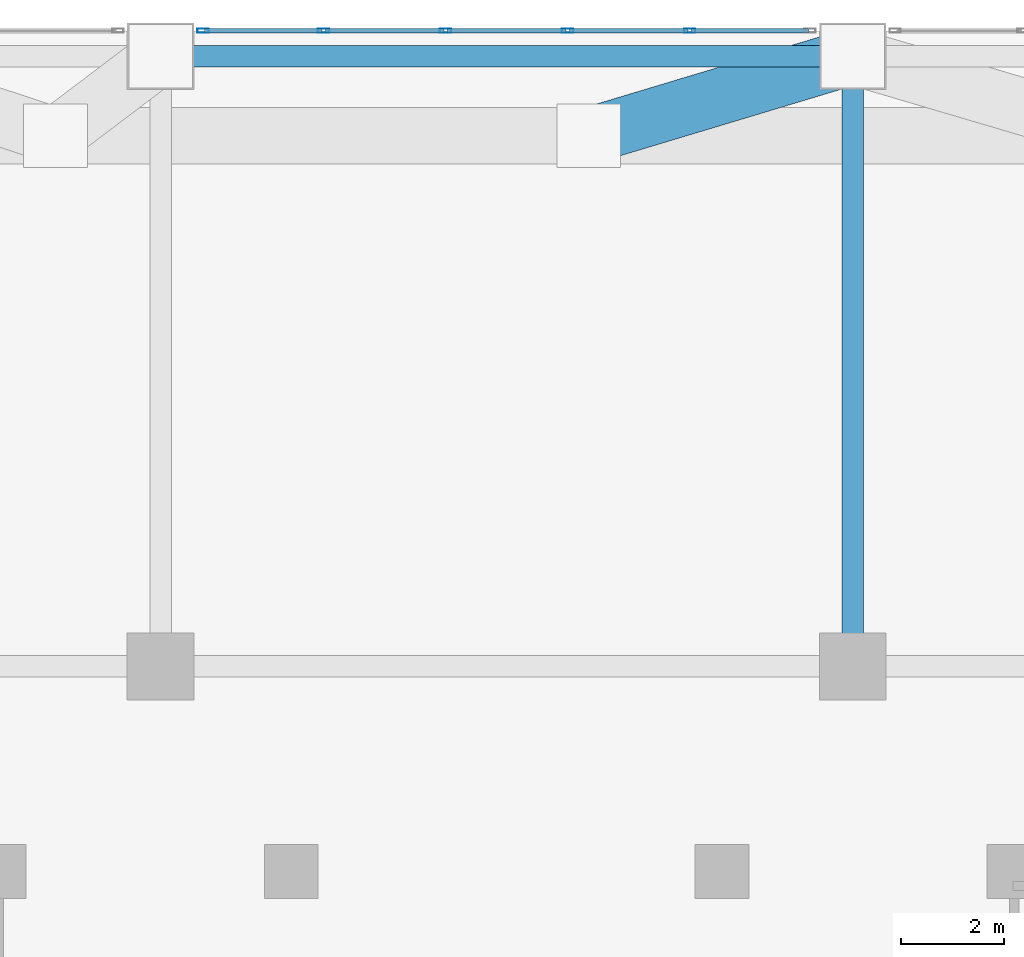
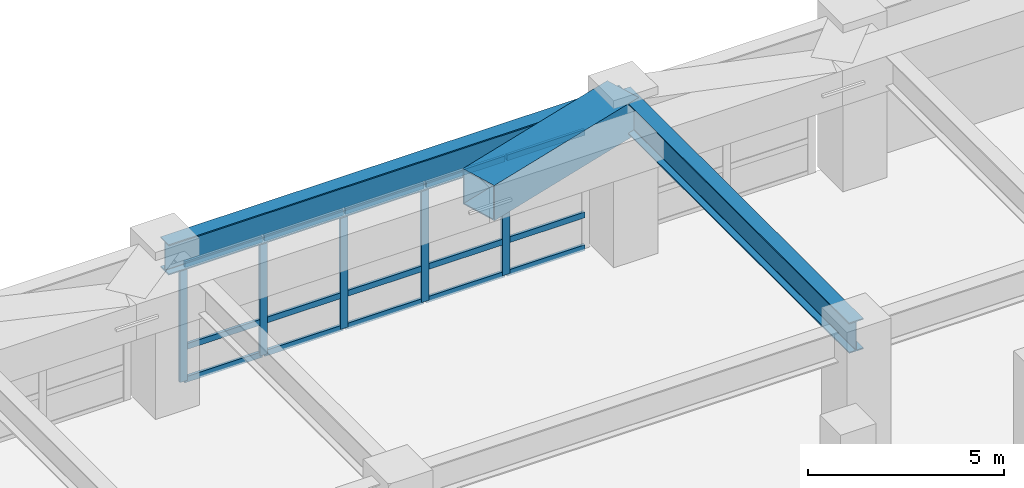
# One storey, part 10 of 20: 20 members, 3 beams, 1 element without a shape of its own.
"""IFC4 building model written with IfcOpenShell, lengths in metres."""

import ifcopenshell
import ifcopenshell.guid

model = None  # the IFC model being written
_history = None  # IfcOwnerHistory: only IFC2X3 demands one
_inside = {}  # id of a spatial element -> (the spatial element, [elements in it])
_under = {}  # id of a project, library or spatial element -> (it, [spatial elements below it])
_declared = {}  # id of a project -> (the project, [libraries it declares])
_typed = {}  # id of a type object -> (the type object, [elements of that type])
_made_of = {}  # id of a material, layer set ... -> (it, [elements and type objects made of it])


def new_model(schema):
    """Start an empty IFC model of exactly this schema.

    Asked for "IFC4X3", IfcOpenShell would pick the latest addendum, in which some entities
    have other attributes; the version numbers below select the first issue.
    IFC2X3 requires an IfcOwnerHistory on every rooted entity: one is made here for all.
    """
    global model, _history
    if schema == "IFC4X3":
        model = ifcopenshell.file(schema_version=(4, 3, 0, 0))
    else:
        model = ifcopenshell.file(schema=schema)
    _inside.clear()
    _under.clear()
    _declared.clear()
    _typed.clear()
    _made_of.clear()
    _history = None
    if model.schema == "IFC2X3":
        org = make("IfcOrganization", Name="unknown")
        user = make(
            "IfcPersonAndOrganization",
            ThePerson=make("IfcPerson", FamilyName="unknown"),
            TheOrganization=org,
        )
        app = make(
            "IfcApplication",
            ApplicationDeveloper=org,
            Version="unknown",
            ApplicationFullName="unknown",
            ApplicationIdentifier="unknown",
        )
        _history = make(
            "IfcOwnerHistory",
            OwningUser=user,
            OwningApplication=app,
            ChangeAction="ADDED",
            CreationDate=0,
        )
    return model


def make(cls, **values):
    """One entity of the class cls with the attributes given. An attribute that is None is left unset."""
    return model.create_entity(
        cls, **{name: value for name, value in values.items() if value is not None}
    )


def rooted(cls, **values):
    """An entity with a GlobalId (a new one), such as an element, a storey or a relation."""
    return make(cls, GlobalId=ifcopenshell.guid.new(), OwnerHistory=_history, **values)


def si_unit(unit_type, name, prefix=None):
    """IfcSIUnit, for example si_unit("LENGTHUNIT", "METRE", prefix="MILLI")."""
    return make("IfcSIUnit", UnitType=unit_type, Prefix=prefix, Name=name)


def assignment(units):
    """IfcUnitAssignment: the units of a project."""
    return None if units is None else make("IfcUnitAssignment", Units=units)


def point(xyz):
    """IfcCartesianPoint."""
    return None if xyz is None else make("IfcCartesianPoint", Coordinates=xyz)


def direction(xyz):
    """IfcDirection."""
    return None if xyz is None else make("IfcDirection", DirectionRatios=xyz)


def frame(location, z_axis=None, x_axis=None):
    """IfcAxis2Placement3D, a coordinate frame: its origin and axes. An axis left out is left unset."""
    return make(
        "IfcAxis2Placement3D",
        Location=point(location),
        Axis=direction(z_axis),
        RefDirection=direction(x_axis),
    )


def frame_2d(location, x_axis=None):
    """IfcAxis2Placement2D, a coordinate frame in the plane: its origin and x axis."""
    return make(
        "IfcAxis2Placement2D", Location=point(location), RefDirection=direction(x_axis)
    )


def origin():
    """The frame at (0, 0, 0) with its axes left unset."""
    return frame((0.0, 0.0, 0.0))


def origin_2d():
    """The frame at (0, 0) in the plane with its x axis left unset."""
    return frame_2d((0.0, 0.0))


def place(relative_to, where):
    """IfcLocalPlacement: puts the frame where relative to a parent placement (None: the world)."""
    return make(
        "IfcLocalPlacement", PlacementRelTo=relative_to, RelativePlacement=where
    )


def context(
    kind, dimensions, precision=None, world=None, true_north=None, identifier=None
):
    """IfcGeometricRepresentationContext, for example the 3D "Model" context."""
    return make(
        "IfcGeometricRepresentationContext",
        ContextIdentifier=identifier,
        ContextType=kind,
        CoordinateSpaceDimension=dimensions,
        Precision=precision,
        WorldCoordinateSystem=world,
        TrueNorth=true_north,
    )


def subcontext(parent, identifier, kind, view, scale=None):
    """IfcGeometricRepresentationSubContext, for example "Body" below "Model"."""
    return make(
        "IfcGeometricRepresentationSubContext",
        ContextIdentifier=identifier,
        ContextType=kind,
        ParentContext=parent,
        TargetScale=scale,
        TargetView=view,
    )


def project(units=None, contexts=None):
    """IfcProject with its units and contexts."""
    return rooted(
        "IfcProject",
        Name="project",
        RepresentationContexts=contexts,
        UnitsInContext=assignment(units),
    )


def spatial(cls, under=None, at=None, **own):
    """A site, building, storey or space (cls), placed at a placement, below another one or the project."""
    s = rooted(cls, ObjectPlacement=at, **own)
    if under is not None:
        _under.setdefault(under.id(), (under, []))[1].append(s)
    return s


def profile(cls, at=None, kind="AREA", **sizes):
    """A parametric profile (cls). Its sizes go by their IFC names, for example OverallWidth=200.0."""
    return make(cls, ProfileType=kind, Position=at, **sizes)


def hollow_rectangle(**sizes):
    """IfcRectangleHollowProfileDef."""
    return profile("IfcRectangleHollowProfileDef", **sizes)


def i_section(**sizes):
    """IfcIShapeProfileDef."""
    return profile("IfcIShapeProfileDef", **sizes)


def extrude(swept, where, along, depth):
    """IfcExtrudedAreaSolid: the profile swept, set in the frame where, extruded along a direction by depth."""
    return make(
        "IfcExtrudedAreaSolid",
        SweptArea=swept,
        Position=where,
        ExtrudedDirection=direction(along),
        Depth=depth,
    )


def shape(context_of_items, identifier, shape_type, items):
    """IfcShapeRepresentation: the items that make up one representation, for example the "Body"."""
    return make(
        "IfcShapeRepresentation",
        ContextOfItems=context_of_items,
        RepresentationIdentifier=identifier,
        RepresentationType=shape_type,
        Items=items,
    )


def material(Name=None, Category=None):
    """IfcMaterial."""
    return make("IfcMaterial", Name=Name, Category=Category)


def layer(
    of_material, thickness, ventilated=None, Name=None, Category=None, Priority=None
):
    """IfcMaterialLayer: one layer of a wall or slab, of a material (None: an air gap)."""
    return make(
        "IfcMaterialLayer",
        Material=of_material,
        LayerThickness=thickness,
        IsVentilated=ventilated,
        Name=Name,
        Category=Category,
        Priority=Priority,
    )


def layer_set(layers, Name=None):
    """IfcMaterialLayerSet."""
    return make("IfcMaterialLayerSet", MaterialLayers=layers, LayerSetName=Name)


def material_profile(
    of_material, cross_section, Name=None, Category=None, Priority=None
):
    """IfcMaterialProfile: a cross section and its material."""
    return make(
        "IfcMaterialProfile",
        Name=Name,
        Material=of_material,
        Profile=cross_section,
        Priority=Priority,
        Category=Category,
    )


def profile_set(profiles, Name=None, composite=None):
    """IfcMaterialProfileSet."""
    return make(
        "IfcMaterialProfileSet",
        Name=Name,
        MaterialProfiles=profiles,
        CompositeProfile=composite,
    )


def made_of(thing, what):
    """Note that an element or type object is made of a material, layer set ...; save() writes the relation."""
    if what is not None:
        _made_of.setdefault(what.id(), (what, []))[1].append(thing)
    return thing


def type_object(cls, material=None, **own):
    """A type object (cls), such as IfcWallType, which elements share."""
    return made_of(rooted(cls, **own), material)


def element(
    cls,
    number,
    at=None,
    inside=None,
    cuts=None,
    type_object=None,
    material=None,
    context=None,
    identifier="Body",
    shape_type=None,
    held_by="IfcProductDefinitionShape",
    body=None,
    shapes=None,
    **own,
):
    """One element of the class cls, such as IfcWall. Its Tag is "e" and its number.

    at: its placement. inside: the storey or other place that contains it. cuts: it is an
    opening in that element (IfcRelVoidsElement). A single representation is given by context,
    identifier, shape_type and body (its items); several are given by shapes. held_by: the class
    of the entity that holds the representations. save() writes the other relations.
    """
    e = rooted(cls, Tag="e%d" % number, ObjectPlacement=at, **own)
    if body is not None:
        shapes = [shape(context, identifier, shape_type, body)]
    if shapes is not None:
        e.Representation = make(held_by, Representations=shapes)
    if inside is not None:
        _inside.setdefault(inside.id(), (inside, []))[1].append(e)
    if cuts is not None:
        rooted(
            "IfcRelVoidsElement", RelatingBuildingElement=cuts, RelatedOpeningElement=e
        )
    if type_object is not None:
        _typed.setdefault(type_object.id(), (type_object, []))[1].append(e)
    return made_of(e, material)


def aggregate(whole, parts):
    """IfcRelAggregates: a whole, such as a stair, and the parts it consists of."""
    return rooted("IfcRelAggregates", RelatingObject=whole, RelatedObjects=parts)


def save(model, path):
    """Write the relations noted so far, then the file.

    IfcRelAggregates (storeys below a building ...), IfcRelContainedInSpatialStructure (elements
    in a storey), IfcRelDefinesByType, IfcRelAssociatesMaterial and IfcRelDeclares: one each for
    every whole, place, type object, material and project.
    """
    for whole, parts in _under.values():
        aggregate(whole, parts)
    for where, things in _inside.values():
        rooted(
            "IfcRelContainedInSpatialStructure",
            RelatedElements=things,
            RelatingStructure=where,
        )
    for kind, things in _typed.values():
        rooted("IfcRelDefinesByType", RelatedObjects=things, RelatingType=kind)
    for what, things in _made_of.values():
        rooted("IfcRelAssociatesMaterial", RelatedObjects=things, RelatingMaterial=what)
    for by, libraries in _declared.values():
        rooted("IfcRelDeclares", RelatingContext=by, RelatedDefinitions=libraries)
    model.write(path)


model = new_model("IFC4")

# Units and contexts
model_context = context("Model", 3, precision=1e-05, world=origin(), true_north=direction((0.0, 1.0)))
body_context = subcontext(model_context, "Body", "Model", "MODEL_VIEW")
ifc_project = project(units=[si_unit("LENGTHUNIT", "METRE"), si_unit("AREAUNIT", "SQUARE_METRE"), si_unit("VOLUMEUNIT", "CUBIC_METRE"), si_unit("PLANEANGLEUNIT", "RADIAN"), si_unit("MASSUNIT", "GRAM", prefix="KILO")], contexts=[model_context])

# Site, building, storey
site_placement = place(None, origin())
site = spatial("IfcSite", under=ifc_project, at=site_placement, CompositionType="ELEMENT")
building_placement = place(site_placement, origin())
building = spatial("IfcBuilding", under=site, at=building_placement, Name="Voryun Gate Residences", CompositionType="ELEMENT")
storey_placement = place(building_placement, frame((0.0, 0.0, 20.800048828125)))
storey = spatial("IfcBuildingStorey", under=building, at=storey_placement, Name="L04", CompositionType="ELEMENT", Elevation=20.800048828125)

# Beams
ifc_material_1 = material(Name="Steel SM420", Category="steel")
ifc_material_profile_1 = material_profile(ifc_material_1, hollow_rectangle(XDim=1.10009765625, YDim=1.10009765625, WallThickness=0.035888671875, at=origin_2d()), Name="BOX-1100x1100x36")
ifc_profile_set_1 = profile_set([ifc_material_profile_1], Name="Steel SM420")
beam_type_1 = type_object("IfcBeamType", Name="BM_ARCH_RIB", PredefinedType="USERDEFINED", material=ifc_profile_set_1)
beam_1_placement = place(storey_placement, frame((6.75, 23.300048828125, 4.39990234375), z_axis=(-0.957566016482, -0.288214024777, 0.0), x_axis=(0.288214024777, -0.957566016482, 0.0)))
element("IfcBeam", 1, at=beam_1_placement, inside=storey, type_object=beam_type_1, Name="BM-L04-B1RAD1-N3", ObjectType="GIRDER", PredefinedType="USERDEFINED", context=body_context, shape_type="SweptSolid", body=[
    extrude(hollow_rectangle(XDim=1.10009765625, YDim=1.10009765625, WallThickness=0.035888671875, at=origin_2d()), origin(), (0.0, 0.0, 1.0), 5.378173828125),
])
ifc_material_2 = material(Name="Steel SM420", Category="steel")
ifc_material_profile_2 = material_profile(ifc_material_2, i_section(OverallWidth=0.419921875, OverallDepth=0.949951171875, WebThickness=0.02001953125, FlangeThickness=0.035888671875, FilletRadius=0.01806640625, at=origin_2d()), Name="H-950x420x20x36")
ifc_profile_set_2 = profile_set([ifc_material_profile_2], Name="Steel SM420")
beam_type_2 = type_object("IfcBeamType", Name="BM_XFER_950", PredefinedType="USERDEFINED", material=ifc_profile_set_2)
beam_2_placement = place(storey_placement, frame((-6.75, 23.300048828125, 4.474853515625), z_axis=(1.0, 0.0, 0.0), x_axis=(0.0, 1.0, 0.0)))
element("IfcBeam", 2, at=beam_2_placement, inside=storey, type_object=beam_type_2, Name="BM-L04-GX-+23.3-3", ObjectType="GIRDER", PredefinedType="USERDEFINED", context=body_context, shape_type="SweptSolid", body=[
    extrude(i_section(OverallWidth=0.419921875, OverallDepth=0.949951171875, WebThickness=0.02001953125, FlangeThickness=0.035888671875, FilletRadius=0.01806640625, at=origin_2d()), origin(), (0.0, 0.0, 1.0), 13.5),
])
beam_3_placement = place(storey_placement, frame((6.75, 11.39990234375, 4.474853515625), z_axis=(0.0, 1.0, 0.0), x_axis=(-1.0, 0.0, 0.0)))
element("IfcBeam", 3, at=beam_3_placement, inside=storey, type_object=beam_type_2, Name="BM-L04-GYM-+6.75-+11.4", ObjectType="GIRDER", PredefinedType="USERDEFINED", context=body_context, shape_type="SweptSolid", body=[
    extrude(i_section(OverallWidth=0.419921875, OverallDepth=0.949951171875, WebThickness=0.02001953125, FlangeThickness=0.035888671875, FilletRadius=0.01806640625, at=origin_2d()), origin(), (0.0, 0.0, 1.0), 11.900146484375),
])

# Curtain wall, members
ifc_material_3 = material(Name="Anodised aluminium", Category="aluminium")
ifc_layer = layer(ifc_material_3, 0.219970703125, Name="CW_SYS_POD_DARK_GLASS")
ifc_layer_set = layer_set([ifc_layer], Name="Anodised aluminium")
curtain_wall_type = type_object("IfcCurtainWallType", Name="CW_SYS_POD_DARK_GLASS", PredefinedType="NOTDEFINED", material=ifc_layer_set)
curtain_wall_placement = place(storey_placement, origin())
curtain_wall = element("IfcCurtainWall", 4, at=curtain_wall_placement, inside=storey, type_object=curtain_wall_type, Name="Curtain wall CW1-L04-BRG-3-C", PredefinedType="NOTDEFINED")
ifc_material_4 = material(Name="Anodised aluminium", Category="aluminium")
ifc_material_profile_3 = material_profile(ifc_material_4, hollow_rectangle(XDim=0.080078125, YDim=0.219970703125, WallThickness=0.0048828125, at=origin_2d()), Name="ALU-MULL-220x80x5")
ifc_profile_set_3 = profile_set([ifc_material_profile_3], Name="Anodised aluminium")
member_type_1 = type_object("IfcMemberType", Name="CW_MULL_POD", PredefinedType="MULLION", material=ifc_profile_set_3)
member_1_placement = place(storey_placement, frame((-5.919921875, 23.800048828125, 0.0), z_axis=(0.0, 0.0, 1.0), x_axis=(0.0, 1.0, 0.0)))
member_1 = element("IfcMember", 5, at=member_1_placement, type_object=member_type_1, Name="CW1 mullion 1", PredefinedType="MULLION", context=body_context, shape_type="SweptSolid", body=[
    extrude(hollow_rectangle(XDim=0.080078125, YDim=0.219970703125, WallThickness=0.0048828125, at=origin_2d()), origin(), (0.0, 0.0, 1.0), 3.64990234375),
])
member_2_placement = place(storey_placement, frame((-3.570068359375, 23.800048828125, 0.0), z_axis=(0.0, 0.0, 1.0), x_axis=(0.0, 1.0, 0.0)))
member_2 = element("IfcMember", 6, at=member_2_placement, type_object=member_type_1, Name="CW1 mullion 2", PredefinedType="MULLION", context=body_context, shape_type="SweptSolid", body=[
    extrude(hollow_rectangle(XDim=0.080078125, YDim=0.219970703125, WallThickness=0.0048828125, at=origin_2d()), origin(), (0.0, 0.0, 1.0), 3.64990234375),
])
member_3_placement = place(storey_placement, frame((-1.18994140625, 23.800048828125, 0.0), z_axis=(0.0, 0.0, 1.0), x_axis=(0.0, 1.0, 0.0)))
member_3 = element("IfcMember", 7, at=member_3_placement, type_object=member_type_1, Name="CW1 mullion 3", PredefinedType="MULLION", context=body_context, shape_type="SweptSolid", body=[
    extrude(hollow_rectangle(XDim=0.080078125, YDim=0.219970703125, WallThickness=0.0048828125, at=origin_2d()), origin(), (0.0, 0.0, 1.0), 3.64990234375),
])
member_4_placement = place(storey_placement, frame((1.18994140625, 23.800048828125, 0.0), z_axis=(0.0, 0.0, 1.0), x_axis=(0.0, 1.0, 0.0)))
member_4 = element("IfcMember", 8, at=member_4_placement, type_object=member_type_1, Name="CW1 mullion 4", PredefinedType="MULLION", context=body_context, shape_type="SweptSolid", body=[
    extrude(hollow_rectangle(XDim=0.080078125, YDim=0.219970703125, WallThickness=0.0048828125, at=origin_2d()), origin(), (0.0, 0.0, 1.0), 3.64990234375),
])
member_5_placement = place(storey_placement, frame((3.570068359375, 23.800048828125, 0.0), z_axis=(0.0, 0.0, 1.0), x_axis=(0.0, 1.0, 0.0)))
member_5 = element("IfcMember", 9, at=member_5_placement, type_object=member_type_1, Name="CW1 mullion 5", PredefinedType="MULLION", context=body_context, shape_type="SweptSolid", body=[
    extrude(hollow_rectangle(XDim=0.080078125, YDim=0.219970703125, WallThickness=0.0048828125, at=origin_2d()), origin(), (0.0, 0.0, 1.0), 3.64990234375),
])
ifc_material_5 = material(Name="Anodised aluminium", Category="aluminium")
ifc_material_profile_4 = material_profile(ifc_material_5, hollow_rectangle(XDim=0.080078125, YDim=0.179931640625, WallThickness=0.0048828125, at=origin_2d()), Name="ALU-TRAN-180x80x5")
ifc_profile_set_4 = profile_set([ifc_material_profile_4], Name="Anodised aluminium")
member_type_2 = type_object("IfcMemberType", Name="CW_TRAN_POD", PredefinedType="USERDEFINED", material=ifc_profile_set_4)
member_6_placement = place(storey_placement, frame((-5.889892578125, 23.800048828125, 0.030029296875), z_axis=(1.0, 0.0, 0.0), x_axis=(0.0, 1.0, 0.0)))
member_6 = element("IfcMember", 10, at=member_6_placement, type_object=member_type_2, Name="CW1 transom 1.1", ObjectType="TRANSOM", PredefinedType="USERDEFINED", context=body_context, shape_type="SweptSolid", body=[
    extrude(hollow_rectangle(XDim=0.080078125, YDim=0.179931640625, WallThickness=0.0048828125, at=origin_2d()), origin(), (0.0, 0.0, 1.0), 2.289794921875),
])
member_7_placement = place(storey_placement, frame((-5.889892578125, 23.800048828125, 1.050048828125), z_axis=(1.0, 0.0, 0.0), x_axis=(0.0, 1.0, 0.0)))
member_7 = element("IfcMember", 11, at=member_7_placement, type_object=member_type_2, Name="CW1 transom 1.2", ObjectType="TRANSOM", PredefinedType="USERDEFINED", context=body_context, shape_type="SweptSolid", body=[
    extrude(hollow_rectangle(XDim=0.080078125, YDim=0.179931640625, WallThickness=0.0048828125, at=origin_2d()), origin(), (0.0, 0.0, 1.0), 2.289794921875),
])
member_8_placement = place(storey_placement, frame((-5.889892578125, 23.800048828125, 3.619873046875), z_axis=(1.0, 0.0, 0.0), x_axis=(0.0, 1.0, 0.0)))
member_8 = element("IfcMember", 12, at=member_8_placement, type_object=member_type_2, Name="CW1 transom 1.3", ObjectType="TRANSOM", PredefinedType="USERDEFINED", context=body_context, shape_type="SweptSolid", body=[
    extrude(hollow_rectangle(XDim=0.080078125, YDim=0.179931640625, WallThickness=0.0048828125, at=origin_2d()), origin(), (0.0, 0.0, 1.0), 2.289794921875),
])
member_9_placement = place(storey_placement, frame((-3.5400390625, 23.800048828125, 0.030029296875), z_axis=(1.0, 0.0, 0.0), x_axis=(0.0, 1.0, 0.0)))
member_9 = element("IfcMember", 13, at=member_9_placement, type_object=member_type_2, Name="CW1 transom 2.1", ObjectType="TRANSOM", PredefinedType="USERDEFINED", context=body_context, shape_type="SweptSolid", body=[
    extrude(hollow_rectangle(XDim=0.080078125, YDim=0.179931640625, WallThickness=0.0048828125, at=origin_2d()), origin(), (0.0, 0.0, 1.0), 2.320068359375),
])
member_10_placement = place(storey_placement, frame((-3.5400390625, 23.800048828125, 1.050048828125), z_axis=(1.0, 0.0, 0.0), x_axis=(0.0, 1.0, 0.0)))
member_10 = element("IfcMember", 14, at=member_10_placement, type_object=member_type_2, Name="CW1 transom 2.2", ObjectType="TRANSOM", PredefinedType="USERDEFINED", context=body_context, shape_type="SweptSolid", body=[
    extrude(hollow_rectangle(XDim=0.080078125, YDim=0.179931640625, WallThickness=0.0048828125, at=origin_2d()), origin(), (0.0, 0.0, 1.0), 2.320068359375),
])
member_11_placement = place(storey_placement, frame((-3.5400390625, 23.800048828125, 3.619873046875), z_axis=(1.0, 0.0, 0.0), x_axis=(0.0, 1.0, 0.0)))
member_11 = element("IfcMember", 15, at=member_11_placement, type_object=member_type_2, Name="CW1 transom 2.3", ObjectType="TRANSOM", PredefinedType="USERDEFINED", context=body_context, shape_type="SweptSolid", body=[
    extrude(hollow_rectangle(XDim=0.080078125, YDim=0.179931640625, WallThickness=0.0048828125, at=origin_2d()), origin(), (0.0, 0.0, 1.0), 2.320068359375),
])
member_12_placement = place(storey_placement, frame((-1.159912109375, 23.800048828125, 0.030029296875), z_axis=(1.0, 0.0, 0.0), x_axis=(0.0, 1.0, 0.0)))
member_12 = element("IfcMember", 16, at=member_12_placement, type_object=member_type_2, Name="CW1 transom 3.1", ObjectType="TRANSOM", PredefinedType="USERDEFINED", context=body_context, shape_type="SweptSolid", body=[
    extrude(hollow_rectangle(XDim=0.080078125, YDim=0.179931640625, WallThickness=0.0048828125, at=origin_2d()), origin(), (0.0, 0.0, 1.0), 2.31982421875),
])
member_13_placement = place(storey_placement, frame((-1.159912109375, 23.800048828125, 1.050048828125), z_axis=(1.0, 0.0, 0.0), x_axis=(0.0, 1.0, 0.0)))
member_13 = element("IfcMember", 17, at=member_13_placement, type_object=member_type_2, Name="CW1 transom 3.2", ObjectType="TRANSOM", PredefinedType="USERDEFINED", context=body_context, shape_type="SweptSolid", body=[
    extrude(hollow_rectangle(XDim=0.080078125, YDim=0.179931640625, WallThickness=0.0048828125, at=origin_2d()), origin(), (0.0, 0.0, 1.0), 2.31982421875),
])
member_14_placement = place(storey_placement, frame((-1.159912109375, 23.800048828125, 3.619873046875), z_axis=(1.0, 0.0, 0.0), x_axis=(0.0, 1.0, 0.0)))
member_14 = element("IfcMember", 18, at=member_14_placement, type_object=member_type_2, Name="CW1 transom 3.3", ObjectType="TRANSOM", PredefinedType="USERDEFINED", context=body_context, shape_type="SweptSolid", body=[
    extrude(hollow_rectangle(XDim=0.080078125, YDim=0.179931640625, WallThickness=0.0048828125, at=origin_2d()), origin(), (0.0, 0.0, 1.0), 2.31982421875),
])
member_15_placement = place(storey_placement, frame((1.219970703125, 23.800048828125, 0.030029296875), z_axis=(1.0, 0.0, 0.0), x_axis=(0.0, 1.0, 0.0)))
member_15 = element("IfcMember", 19, at=member_15_placement, type_object=member_type_2, Name="CW1 transom 4.1", ObjectType="TRANSOM", PredefinedType="USERDEFINED", context=body_context, shape_type="SweptSolid", body=[
    extrude(hollow_rectangle(XDim=0.080078125, YDim=0.179931640625, WallThickness=0.0048828125, at=origin_2d()), origin(), (0.0, 0.0, 1.0), 2.320068359375),
])
member_16_placement = place(storey_placement, frame((1.219970703125, 23.800048828125, 1.050048828125), z_axis=(1.0, 0.0, 0.0), x_axis=(0.0, 1.0, 0.0)))
member_16 = element("IfcMember", 20, at=member_16_placement, type_object=member_type_2, Name="CW1 transom 4.2", ObjectType="TRANSOM", PredefinedType="USERDEFINED", context=body_context, shape_type="SweptSolid", body=[
    extrude(hollow_rectangle(XDim=0.080078125, YDim=0.179931640625, WallThickness=0.0048828125, at=origin_2d()), origin(), (0.0, 0.0, 1.0), 2.320068359375),
])
member_17_placement = place(storey_placement, frame((1.219970703125, 23.800048828125, 3.619873046875), z_axis=(1.0, 0.0, 0.0), x_axis=(0.0, 1.0, 0.0)))
member_17 = element("IfcMember", 21, at=member_17_placement, type_object=member_type_2, Name="CW1 transom 4.3", ObjectType="TRANSOM", PredefinedType="USERDEFINED", context=body_context, shape_type="SweptSolid", body=[
    extrude(hollow_rectangle(XDim=0.080078125, YDim=0.179931640625, WallThickness=0.0048828125, at=origin_2d()), origin(), (0.0, 0.0, 1.0), 2.320068359375),
])
member_18_placement = place(storey_placement, frame((3.60009765625, 23.800048828125, 0.030029296875), z_axis=(1.0, 0.0, 0.0), x_axis=(0.0, 1.0, 0.0)))
member_18 = element("IfcMember", 22, at=member_18_placement, type_object=member_type_2, Name="CW1 transom 5.1", ObjectType="TRANSOM", PredefinedType="USERDEFINED", context=body_context, shape_type="SweptSolid", body=[
    extrude(hollow_rectangle(XDim=0.080078125, YDim=0.179931640625, WallThickness=0.0048828125, at=origin_2d()), origin(), (0.0, 0.0, 1.0), 2.289794921875),
])
member_19_placement = place(storey_placement, frame((3.60009765625, 23.800048828125, 1.050048828125), z_axis=(1.0, 0.0, 0.0), x_axis=(0.0, 1.0, 0.0)))
member_19 = element("IfcMember", 23, at=member_19_placement, type_object=member_type_2, Name="CW1 transom 5.2", ObjectType="TRANSOM", PredefinedType="USERDEFINED", context=body_context, shape_type="SweptSolid", body=[
    extrude(hollow_rectangle(XDim=0.080078125, YDim=0.179931640625, WallThickness=0.0048828125, at=origin_2d()), origin(), (0.0, 0.0, 1.0), 2.289794921875),
])
member_20_placement = place(storey_placement, frame((3.60009765625, 23.800048828125, 3.619873046875), z_axis=(1.0, 0.0, 0.0), x_axis=(0.0, 1.0, 0.0)))
member_20 = element("IfcMember", 24, at=member_20_placement, type_object=member_type_2, Name="CW1 transom 5.3", ObjectType="TRANSOM", PredefinedType="USERDEFINED", context=body_context, shape_type="SweptSolid", body=[
    extrude(hollow_rectangle(XDim=0.080078125, YDim=0.179931640625, WallThickness=0.0048828125, at=origin_2d()), origin(), (0.0, 0.0, 1.0), 2.289794921875),
])
aggregate(curtain_wall, [member_1, member_2, member_3, member_4, member_5, member_6, member_7, member_8, member_9, member_10, member_11, member_12, member_13, member_14, member_15, member_16, member_17, member_18, member_19, member_20])

save(model, "model.ifc")
